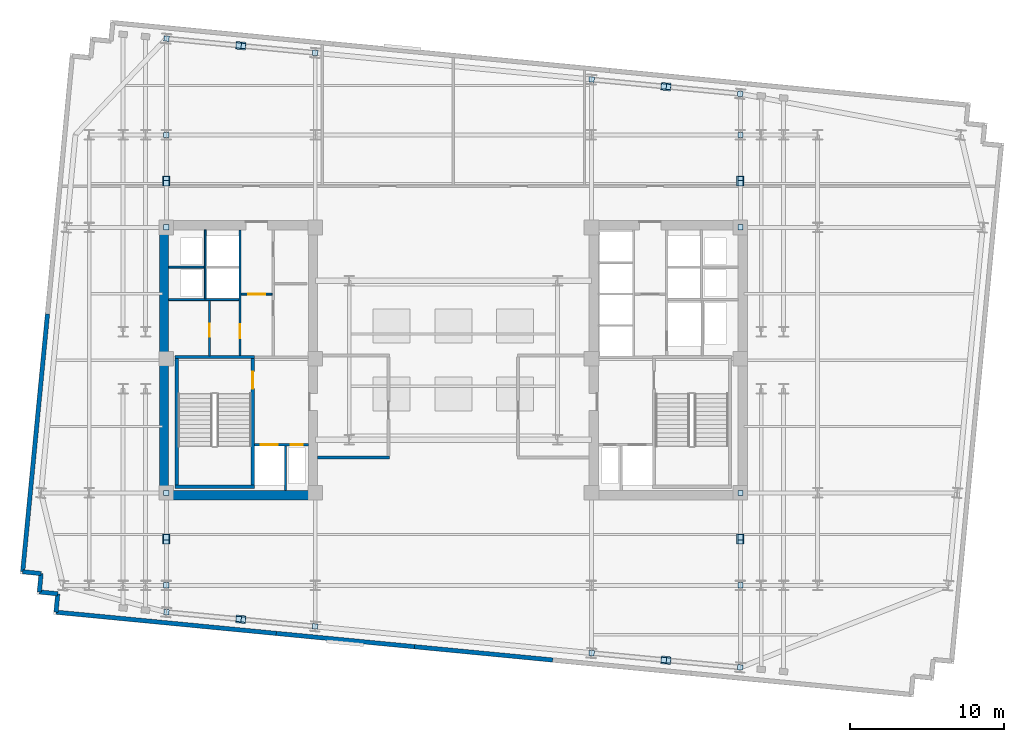
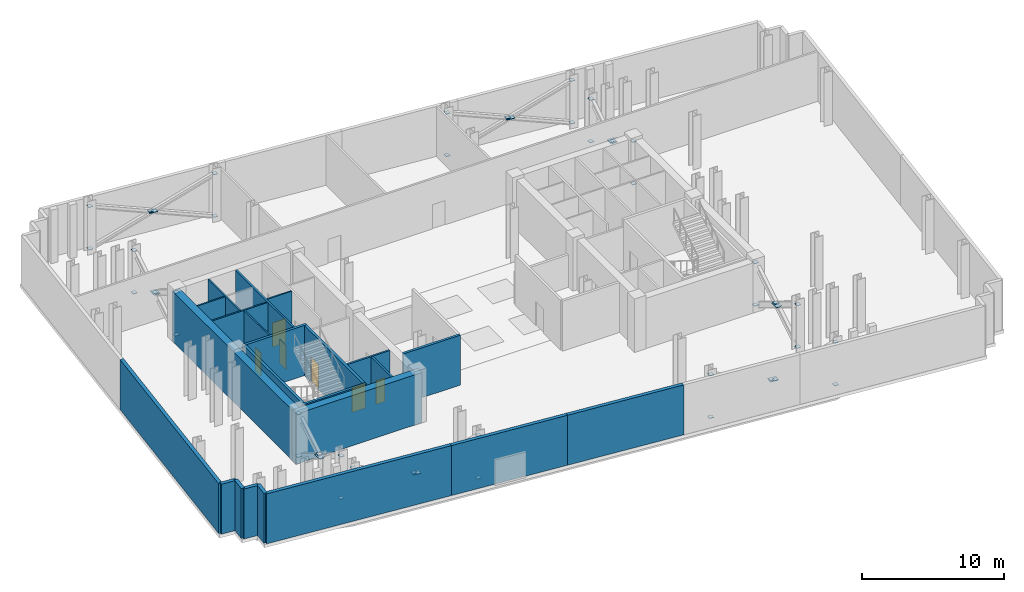
# One storey, part 4 of 8: 55 plates, 23 walls, 6 doors, 6 openings.
"""IFC4 building model written with IfcOpenShell, lengths in metres."""

from ifc_helpers import new_model, si_unit, direction, frame, frame_2d, origin, origin_2d, place, context, subcontext, project, spatial, rectangle, extrude, material, layer, layer_set, type_object, element, fill, save


model = new_model("IFC4")

# Units and contexts
model_context = context("Model", 3, precision=1e-05, world=origin(), true_north=direction((0.0, 1.0)))
body_context = subcontext(model_context, "Body", "Model", "MODEL_VIEW")
ifc_project = project(units=[si_unit("LENGTHUNIT", "METRE"), si_unit("AREAUNIT", "SQUARE_METRE"), si_unit("VOLUMEUNIT", "CUBIC_METRE"), si_unit("PLANEANGLEUNIT", "RADIAN"), si_unit("MASSUNIT", "GRAM", prefix="KILO")], contexts=[model_context])

# Site, building, storey
site_placement = place(None, origin())
site = spatial("IfcSite", under=ifc_project, at=site_placement, CompositionType="ELEMENT")
building_placement = place(site_placement, origin())
building = spatial("IfcBuilding", under=site, at=building_placement, Name="Velakula Bourse", CompositionType="ELEMENT")
storey_placement = place(building_placement, frame((0.0, 0.0, 194.89990234375)))
storey = spatial("IfcBuildingStorey", under=building, at=storey_placement, Name="L53", CompositionType="ELEMENT", Elevation=194.89990234375)

# Plates
ifc_material_1 = material(Name="Steel IS 2062 Grade 350 (E350)", Category="steel")
ifc_layer_1 = layer(ifc_material_1, 0.0400390625, Name="Steel IS 2062 Grade 350 (E350)", Category="steel")
ifc_layer_set_1 = layer_set([ifc_layer_1], Name="Steel IS 2062 Grade 350 (E350)")
plate_type_1 = type_object("IfcPlateType", Name="PLT-ENDCAP-340", PredefinedType="USERDEFINED", material=ifc_layer_set_1)
for number, where, z_axis, x_axis, name in (
    (1, (-18.60009765625, -8.6103515625, 0.286376953125), (0.0, 0.0, 1.0), (0.0, -1.0, 0.0), "L53 Continuous Outrigger and Belt X-Brace OT-NS1 hollow end cap plate 1"),
    (2, (-18.60009765625, -14.58984375, 3.94384765625), (0.0, 0.0, 1.0), (0.0, -1.0, 0.0), "L53 Continuous Outrigger and Belt X-Brace OT-NS1 hollow end cap plate 2"),
    (3, (-18.60009765625, -14.58984375, 0.286376953125), (0.0, 0.0, 1.0), (0.0, 1.0, 0.0), "L53 Split X-Brace Lower Segment OT-NS2A hollow end cap plate 1"),
    (4, (-18.60009765625, -11.729736328125, 2.03564453125), (0.0, 0.0, 1.0), (0.0, 1.0, 0.0), "L53 Split X-Brace Lower Segment OT-NS2A hollow end cap plate 2"),
    (5, (-18.60009765625, -11.47021484375, 2.1943359375), (0.0, 0.0, 1.0), (0.0, 1.0, 0.0), "L53 Split X-Brace Upper Segment OT-NS2B hollow end cap plate 1"),
    (6, (-18.60009765625, -8.6103515625, 3.94384765625), (0.0, 0.0, 1.0), (0.0, 1.0, 0.0), "L53 Split X-Brace Upper Segment OT-NS2B hollow end cap plate 2"),
    (7, (-18.60009765625, 8.6103515625, 0.286376953125), (0.0, 0.0, 1.0), (0.0, 1.0, 0.0), "L53 Continuous Outrigger and Belt X-Brace OT-NS3 hollow end cap plate 1"),
    (8, (-18.60009765625, 14.58984375, 3.94384765625), (0.0, 0.0, 1.0), (0.0, 1.0, 0.0), "L53 Continuous Outrigger and Belt X-Brace OT-NS3 hollow end cap plate 2"),
    (9, (-18.60009765625, 14.58984375, 0.286376953125), (0.0, 0.0, 1.0), (0.0, -1.0, 0.0), "L53 Split X-Brace Lower Segment OT-NS4A hollow end cap plate 1"),
    (10, (-18.60009765625, 11.729736328125, 2.03564453125), (0.0, 0.0, 1.0), (0.0, -1.0, 0.0), "L53 Split X-Brace Lower Segment OT-NS4A hollow end cap plate 2"),
    (11, (-18.60009765625, 11.47021484375, 2.1943359375), (0.0, 0.0, 1.0), (0.0, -1.0, 0.0), "L53 Split X-Brace Upper Segment OT-NS4B hollow end cap plate 1"),
    (12, (-18.60009765625, 8.6103515625, 3.94384765625), (0.0, 0.0, 1.0), (0.0, -1.0, 0.0), "L53 Split X-Brace Upper Segment OT-NS4B hollow end cap plate 2"),
    (13, (18.60009765625, -8.6103515625, 0.286376953125), (0.0, 0.0, 1.0), (0.0, -1.0, 0.0), "L53 Continuous Outrigger and Belt X-Brace OT-NS5 hollow end cap plate 1"),
    (14, (18.60009765625, -14.58984375, 3.94384765625), (0.0, 0.0, 1.0), (0.0, -1.0, 0.0), "L53 Continuous Outrigger and Belt X-Brace OT-NS5 hollow end cap plate 2"),
    (15, (18.60009765625, -14.58984375, 0.286376953125), (0.0, 0.0, 1.0), (0.0, 1.0, 0.0), "L53 Split X-Brace Lower Segment OT-NS6A hollow end cap plate 1"),
    (16, (18.60009765625, -11.729736328125, 2.03564453125), (0.0, 0.0, 1.0), (0.0, 1.0, 0.0), "L53 Split X-Brace Lower Segment OT-NS6A hollow end cap plate 2"),
    (17, (18.60009765625, -11.47021484375, 2.1943359375), (0.0, 0.0, 1.0), (0.0, 1.0, 0.0), "L53 Split X-Brace Upper Segment OT-NS6B hollow end cap plate 1"),
    (18, (18.60009765625, -8.6103515625, 3.94384765625), (0.0, 0.0, 1.0), (0.0, 1.0, 0.0), "L53 Split X-Brace Upper Segment OT-NS6B hollow end cap plate 2"),
    (19, (18.60009765625, 8.6103515625, 0.286376953125), (0.0, 0.0, 1.0), (0.0, 1.0, 0.0), "L53 Continuous Outrigger and Belt X-Brace OT-NS7 hollow end cap plate 1"),
    (20, (18.60009765625, 14.58984375, 3.94384765625), (0.0, 0.0, 1.0), (0.0, 1.0, 0.0), "L53 Continuous Outrigger and Belt X-Brace OT-NS7 hollow end cap plate 2"),
    (21, (18.60009765625, 14.58984375, 0.286376953125), (0.0, 0.0, 1.0), (0.0, -1.0, 0.0), "L53 Split X-Brace Lower Segment OT-NS8A hollow end cap plate 1"),
    (22, (18.60009765625, 11.729736328125, 2.03564453125), (0.0, 0.0, 1.0), (0.0, -1.0, 0.0), "L53 Split X-Brace Lower Segment OT-NS8A hollow end cap plate 2"),
    (23, (18.60009765625, 11.47021484375, 2.1943359375), (0.0, 0.0, 1.0), (0.0, -1.0, 0.0), "L53 Split X-Brace Upper Segment OT-NS8B hollow end cap plate 1"),
    (24, (18.60009765625, 8.6103515625, 3.94384765625), (0.0, 0.0, 1.0), (0.0, -1.0, 0.0), "L53 Split X-Brace Upper Segment OT-NS8B hollow end cap plate 2"),
    (25, (-8.961181640625, -17.2568359375, 3.94580078125), (0.0, 0.0, 1.0), (0.995396198367, -0.09584575252, 0.0), "L53 Continuous Outrigger and Belt X-Brace BT-S1 hollow end cap plate 2"),
    (26, (-8.961181640625, -17.2568359375, 0.284423828125), (0.0, 0.0, 1.0), (-0.995396198367, 0.09584575252, 0.0), "L53 Split X-Brace Lower Segment BT-S2A hollow end cap plate 1"),
    (27, (-13.633544921875, -16.806884765625, 2.061279296875), (0.0, 0.0, 1.0), (-0.995396198367, 0.09584575252, 0.0), "L53 Split X-Brace Lower Segment BT-S2A hollow end cap plate 2"),
    (28, (-13.91650390625, -16.77978515625, 2.1689453125), (0.0, 0.0, 1.0), (-0.995396198367, 0.09584575252, 0.0), "L53 Split X-Brace Upper Segment BT-S2B hollow end cap plate 1"),
    (29, (-18.5888671875, -16.329833984375, 3.94580078125), (0.0, 0.0, 1.0), (-0.995396198367, 0.09584575252, 0.0), "L53 Split X-Brace Upper Segment BT-S2B hollow end cap plate 2"),
    (30, (8.961181640625, -18.982666015625, 0.284423828125), (0.0, 0.0, 1.0), (0.99539787104, -0.095828379565, 0.0), "L53 Continuous Outrigger and Belt X-Brace BT-S3 hollow end cap plate 1"),
    (31, (18.5888671875, -19.909423828125, 3.94580078125), (0.0, 0.0, 1.0), (0.99539787104, -0.095828379565, 0.0), "L53 Continuous Outrigger and Belt X-Brace BT-S3 hollow end cap plate 2"),
    (32, (18.5888671875, -19.909423828125, 0.284423828125), (0.0, 0.0, 1.0), (-0.99539787104, 0.095828379565, 0.0), "L53 Split X-Brace Lower Segment BT-S4A hollow end cap plate 1"),
    (33, (13.91650390625, -19.459716796875, 2.061279296875), (0.0, 0.0, 1.0), (-0.99539787104, 0.095828379565, 0.0), "L53 Split X-Brace Lower Segment BT-S4A hollow end cap plate 2"),
    (34, (13.633544921875, -19.432373046875, 2.1689453125), (0.0, 0.0, 1.0), (-0.99539787104, 0.095828379565, 0.0), "L53 Split X-Brace Upper Segment BT-S4B hollow end cap plate 1"),
    (35, (8.961181640625, -18.982666015625, 3.94580078125), (0.0, 0.0, 1.0), (-0.99539787104, 0.095828379565, 0.0), "L53 Split X-Brace Upper Segment BT-S4B hollow end cap plate 2"),
    (36, (-18.5888671875, 20.84130859375, 0.284423828125), (0.0, 0.0, 1.0), (0.995396198367, -0.09584575252, 0.0), "L53 Continuous Outrigger and Belt X-Brace BT-N1 hollow end cap plate 1"),
    (37, (-8.961181640625, 19.914306640625, 3.94580078125), (0.0, 0.0, 1.0), (0.995396198367, -0.09584575252, 0.0), "L53 Continuous Outrigger and Belt X-Brace BT-N1 hollow end cap plate 2"),
    (38, (-8.961181640625, 19.914306640625, 0.284423828125), (0.0, 0.0, 1.0), (-0.995396198367, 0.09584575252, 0.0), "L53 Split X-Brace Lower Segment BT-N2A hollow end cap plate 1"),
    (39, (-13.633544921875, 20.3642578125, 2.061279296875), (0.0, 0.0, 1.0), (-0.995396198367, 0.09584575252, 0.0), "L53 Split X-Brace Lower Segment BT-N2A hollow end cap plate 2"),
    (40, (-13.91650390625, 20.391357421875, 2.1689453125), (0.0, 0.0, 1.0), (-0.995396198367, 0.09584575252, 0.0), "L53 Split X-Brace Upper Segment BT-N2B hollow end cap plate 1"),
    (41, (-18.5888671875, 20.84130859375, 3.94580078125), (0.0, 0.0, 1.0), (-0.995396198367, 0.09584575252, 0.0), "L53 Split X-Brace Upper Segment BT-N2B hollow end cap plate 2"),
    (42, (8.961181640625, 18.188720703125, 0.284423828125), (0.0, 0.0, 1.0), (0.995396198367, -0.09584575252, 0.0), "L53 Continuous Outrigger and Belt X-Brace BT-N3 hollow end cap plate 1"),
    (43, (18.5888671875, 17.261474609375, 3.94580078125), (0.0, 0.0, 1.0), (0.995396198367, -0.09584575252, 0.0), "L53 Continuous Outrigger and Belt X-Brace BT-N3 hollow end cap plate 2"),
    (44, (18.5888671875, 17.261474609375, 0.284423828125), (0.0, 0.0, 1.0), (-0.995396198367, 0.09584575252, 0.0), "L53 Split X-Brace Lower Segment BT-N4A hollow end cap plate 1"),
    (45, (13.91650390625, 17.71142578125, 2.061279296875), (0.0, 0.0, 1.0), (-0.995396198367, 0.09584575252, 0.0), "L53 Split X-Brace Lower Segment BT-N4A hollow end cap plate 2"),
    (46, (13.633544921875, 17.73876953125, 2.1689453125), (0.0, 0.0, 1.0), (-0.995396198367, 0.09584575252, 0.0), "L53 Split X-Brace Upper Segment BT-N4B hollow end cap plate 1"),
    (47, (8.961181640625, 18.188720703125, 3.94580078125), (0.0, 0.0, 1.0), (-0.995396198367, 0.09584575252, 0.0), "L53 Split X-Brace Upper Segment BT-N4B hollow end cap plate 2"),
):
    element("IfcPlate", number, at=place(storey_placement, frame(where, z_axis=z_axis, x_axis=x_axis)), inside=storey, type_object=plate_type_1, Name=name, ObjectType="GUSSET PLATE", PredefinedType="USERDEFINED", context=body_context, shape_type="SweptSolid", body=[
        extrude(rectangle(XDim=0.340087890625, YDim=0.340087890625, at=origin_2d()), origin(), (0.0, 0.0, 1.0), 0.0400390625),
    ])
ifc_layer_2 = layer(ifc_material_1, 0.0400390625, Name="Steel IS 2062 Grade 350 (E350)", Category="steel")
ifc_layer_set_2 = layer_set([ifc_layer_2], Name="Steel IS 2062 Grade 350 (E350)")
plate_type_2 = type_object("IfcPlateType", Name="PLT-NODE-OTR", PredefinedType="USERDEFINED", material=ifc_layer_set_2)
for number, where, z_axis, x_axis, name in (
    (48, (-18.60009765625, -11.60009765625, 2.114990234375), (0.0, 0.0, 1.0), (0.0, -1.0, 0.0), "L53 X-Brace Central Crossing Gusset Plate 1"),
    (49, (-18.60009765625, 11.60009765625, 2.114990234375), (0.0, 0.0, 1.0), (0.0, 1.0, 0.0), "L53 X-Brace Central Crossing Gusset Plate 2"),
    (50, (18.60009765625, -11.60009765625, 2.114990234375), (0.0, 0.0, 1.0), (0.0, -1.0, 0.0), "L53 X-Brace Central Crossing Gusset Plate 3"),
    (51, (18.60009765625, 11.60009765625, 2.114990234375), (0.0, 0.0, 1.0), (0.0, 1.0, 0.0), "L53 X-Brace Central Crossing Gusset Plate 4"),
    (52, (-13.77490234375, -16.793212890625, 2.114990234375), (0.0, 0.0, 1.0), (0.995396198367, -0.09584575252, 0.0), "L53 X-Brace Central Crossing Gusset Plate 5"),
    (53, (13.77490234375, -19.446044921875, 2.114990234375), (0.0, 0.0, 1.0), (0.99539787104, -0.095828379565, 0.0), "L53 X-Brace Central Crossing Gusset Plate 6"),
    (54, (-13.77490234375, 20.377685546875, 2.114990234375), (0.0, 0.0, 1.0), (0.995396198367, -0.09584575252, 0.0), "L53 X-Brace Central Crossing Gusset Plate 7"),
    (55, (13.77490234375, 17.72509765625, 2.114990234375), (0.0, 0.0, 1.0), (0.995396198367, -0.09584575252, 0.0), "L53 X-Brace Central Crossing Gusset Plate 8"),
):
    element("IfcPlate", number, at=place(storey_placement, frame(where, z_axis=z_axis, x_axis=x_axis)), inside=storey, type_object=plate_type_2, Name=name, ObjectType="GUSSET PLATE", PredefinedType="USERDEFINED", context=body_context, shape_type="SweptSolid", body=[
        extrude(rectangle(XDim=0.639892578125, YDim=0.5, at=origin_2d()), origin(), (0.0, 0.0, 1.0), 0.0400390625),
    ])

# Wall, opening, door
ifc_material_2 = material(Name="Concrete M50 (fck 50 MPa)", Category="concrete")
ifc_layer_3 = layer(ifc_material_2, 0.2099609375, Name="Concrete M50 (fck 50 MPa)", Category="concrete")
ifc_layer_set_3 = layer_set([ifc_layer_3], Name="Concrete M50 (fck 50 MPa)")
wall_type_1 = type_object("IfcWallType", Name="WL-CORE-210", PredefinedType="SHEAR", material=ifc_layer_set_3)
wall_1_placement = place(storey_placement, frame((-12.9951171875, -8.10009765625, 0.0), z_axis=(0.0, 0.0, 1.0), x_axis=(0.0, 1.0, 0.0)))
wall_1 = element("IfcWall", 56, at=wall_1_placement, inside=storey, type_object=wall_type_1, Name="L53 Core W Stairwell Shear Wall IN", PredefinedType="SHEAR", context=body_context, shape_type="SweptSolid", body=[
    extrude(rectangle(XDim=8.2001953125, YDim=0.2099609375, at=frame_2d((4.10009765625, 0.0))), origin(), (0.0, 0.0, 1.0), 4.320068359375),
])
opening_1_placement = place(wall_1_placement, frame((6.25, 0.0, 0.0)))
opening_1 = element("IfcOpeningElement", 57, at=opening_1_placement, cuts=wall_1, Name="Opening D-STW1", PredefinedType="OPENING", context=body_context, shape_type="SweptSolid", body=[
    extrude(rectangle(XDim=1.10009765625, YDim=2.14990234375, at=frame_2d((0.550048828125, 1.074951171875))), frame((0.0, 0.114990234375, 0.0), z_axis=(0.0, -1.0, 0.0), x_axis=(1.0, 0.0, 0.0)), (0.0, 0.0, 1.0), 0.22998046875),
])
ifc_material_3 = material(Name="Galvanised painted hollow steel fire door", Category="steel")
door_type_1 = type_object("IfcDoorType", Name="DR-FD120-1100x2150", OperationType="NOTDEFINED", PredefinedType="DOOR", material=ifc_material_3)
door_1_placement = place(opening_1_placement, origin())
door_1 = element("IfcDoor", 58, at=door_1_placement, inside=storey, type_object=door_type_1, Name="L53 Stair ST-W1 Fire Door", OperationType="SINGLE_SWING_LEFT", OverallHeight=2.14990234375, OverallWidth=1.10009765625, PredefinedType="DOOR", context=body_context, shape_type="SweptSolid", body=[
    extrude(rectangle(XDim=1.10009765625, YDim=2.14990234375, at=frame_2d((0.550048828125, 1.074951171875))), frame((0.0, 0.02490234375, 0.0), z_axis=(0.0, -1.0, 0.0), x_axis=(1.0, 0.0, 0.0)), (0.0, 0.0, 1.0), 0.050048828125),
])
fill(opening_1, door_1)

# Walls
wall_2_placement = place(storey_placement, frame((-17.925048828125, -8.10009765625, 0.0), z_axis=(0.0, 0.0, 1.0), x_axis=(0.0, 1.0, 0.0)))
element("IfcWall", 59, at=wall_2_placement, inside=storey, type_object=wall_type_1, Name="L53 Core W Stairwell Shear Wall OUT", PredefinedType="SHEAR", context=body_context, shape_type="SweptSolid", body=[
    extrude(rectangle(XDim=8.2001953125, YDim=0.2099609375, at=frame_2d((4.10009765625, 0.0))), origin(), (0.0, 0.0, 1.0), 4.320068359375),
])
for number, where, z_axis, x_axis, name in (
    (60, (-18.030029296875, -8.205078125, 0.0), (0.0, 0.0, 1.0), (1.0, 0.0, 0.0), "L53 Core W Stairwell Shear Wall S"),
    (61, (-12.889892578125, 0.205078125, 0.0), (0.0, 0.0, 1.0), (-1.0, 0.0, 0.0), "L53 Core W Stairwell Shear Wall N"),
):
    element("IfcWall", number, at=place(storey_placement, frame(where, z_axis=z_axis, x_axis=x_axis)), inside=storey, type_object=wall_type_1, Name=name, PredefinedType="SHEAR", context=body_context, shape_type="SweptSolid", body=[
        extrude(rectangle(XDim=5.14013671875, YDim=0.2099609375, at=frame_2d((2.570068359375, 0.0))), origin(), (0.0, 0.0, 1.0), 4.320068359375),
    ])
ifc_material_4 = material(Name="Concrete M70 (fck 70 MPa)", Category="concrete")
ifc_layer_4 = layer(ifc_material_4, 0.60009765625, Name="Concrete M70 (fck 70 MPa)", Category="concrete")
ifc_layer_set_4 = layer_set([ifc_layer_4], Name="Concrete M70 (fck 70 MPa)")
wall_type_2 = type_object("IfcWallType", Name="WL-CORE-600", PredefinedType="SHEAR", material=ifc_layer_set_4)
wall_3_placement = place(storey_placement, frame((-19.050048828125, -8.75, 0.0), z_axis=(0.0, 0.0, 1.0), x_axis=(1.0, 0.0, 0.0)))
element("IfcWall", 62, at=wall_3_placement, inside=storey, type_object=wall_type_2, Name="L53 Core W Shear Wall S", PredefinedType="SHEAR", context=body_context, shape_type="SweptSolid", body=[
    extrude(rectangle(XDim=10.25, YDim=0.60009765625, at=frame_2d((5.125, 0.0))), origin(), (0.0, 0.0, 1.0), 4.320068359375),
])
wall_4_placement = place(storey_placement, frame((-18.75, -8.449951171875, 0.0), z_axis=(0.0, 0.0, 1.0), x_axis=(0.0, 1.0, 0.0)))
element("IfcWall", 63, at=wall_4_placement, inside=storey, type_object=wall_type_2, Name="L53 Core W Shear Wall W", PredefinedType="SHEAR", context=body_context, shape_type="SweptSolid", body=[
    extrude(rectangle(XDim=16.89990234375, YDim=0.60009765625, at=frame_2d((8.449951171875, 0.0))), origin(), (0.0, 0.0, 1.0), 4.320068359375),
])
ifc_material_5 = material(Name="Red kilned clay facing brick masonry", Category="masonry")
ifc_layer_5 = layer(ifc_material_5, 0.280029296875, Name="Red kilned clay facing brick masonry", Category="masonry")
ifc_layer_set_5 = layer_set([ifc_layer_5], Name="Red kilned clay facing brick masonry")
wall_type_3 = type_object("IfcWallType", Name="WL-EXT-BRK-280", PredefinedType="STANDARD", material=ifc_layer_set_5)
wall_5_placement = place(storey_placement, frame((-11.47705078125, -17.707763671875, 0.0), z_axis=(0.0, 0.0, 1.0), x_axis=(-0.995395762701, 0.095850276977, 0.0)))
element("IfcWall", 64, at=wall_5_placement, inside=storey, type_object=wall_type_3, Name="L53 S Brick Spandrel Wall B1", PredefinedType="STANDARD", context=body_context, shape_type="SweptSolid", body=[
    extrude(rectangle(XDim=14.340087890625, YDim=0.280029296875, at=frame_2d((7.169921875, 0.0))), origin(), (0.0, 0.0, 1.0), 4.300048828125),
])
for number, where, z_axis, x_axis, name in (
    (65, (-2.5185546875, -18.5703125, 0.0), (0.0, 0.0, 1.0), (-0.995396794462, 0.09583956164, 0.0), "L53 S Brick Spandrel Wall B2"),
    (66, (6.43994140625, -19.432861328125, 0.0), (0.0, 0.0, 1.0), (-0.995396794462, 0.09583956164, 0.0), "L53 S Brick Spandrel Wall B3"),
):
    element("IfcWall", number, at=place(storey_placement, frame(where, z_axis=z_axis, x_axis=x_axis)), inside=storey, type_object=wall_type_3, Name=name, PredefinedType="STANDARD", context=body_context, shape_type="SweptSolid", body=[
        extrude(rectangle(XDim=9.0, YDim=0.280029296875, at=frame_2d((4.5, 0.0))), origin(), (0.0, 0.0, 1.0), 4.300048828125),
    ])
wall_6_placement = place(storey_placement, frame((-27.909912109375, -13.71435546875, 0.0), z_axis=(0.0, 0.0, 1.0), x_axis=(0.095839027265, 0.995396845913, 0.0)))
element("IfcWall", 67, at=wall_6_placement, inside=storey, type_object=wall_type_3, Name="L53 W Brick End Wall W1", PredefinedType="STANDARD", context=body_context, shape_type="SweptSolid", body=[
    extrude(rectangle(XDim=16.7900390625, YDim=0.280029296875, at=frame_2d((8.39501953125, 0.0))), origin(), (0.0, 0.0, 1.0), 4.300048828125),
])
wall_7_placement = place(storey_placement, frame((-27.909912109375, -13.71435546875, 0.0), z_axis=(0.0, 0.0, 1.0), x_axis=(0.995397091755, -0.095836473879, 0.0)))
element("IfcWall", 68, at=wall_7_placement, inside=storey, type_object=wall_type_3, Name="L53 Serrated Corner Brick Wall SW-1", PredefinedType="STANDARD", context=body_context, shape_type="SweptSolid", body=[
    extrude(rectangle(XDim=1.199951171875, YDim=0.280029296875, at=frame_2d((0.60009765625, 0.0))), origin(), (0.0, 0.0, 1.0), 4.300048828125),
])
for number, where, z_axis, x_axis, name in (
    (69, (-26.715576171875, -13.829345703125, 0.0), (0.0, 0.0, 1.0), (-0.095817067274, -0.995398960025, 0.0), "L53 Serrated Corner Brick Wall SW-2"),
    (70, (-26.83056640625, -15.02392578125, 0.0), (0.0, 0.0, 1.0), (0.995398960025, -0.095817067274, 0.0), "L53 Serrated Corner Brick Wall SW-3"),
):
    element("IfcWall", number, at=place(storey_placement, frame(where, z_axis=z_axis, x_axis=x_axis)), inside=storey, type_object=wall_type_3, Name=name, PredefinedType="STANDARD", context=body_context, shape_type="SweptSolid", body=[
        extrude(rectangle(XDim=1.2001953125, YDim=0.280029296875, at=frame_2d((0.60009765625, 0.0))), origin(), (0.0, 0.0, 1.0), 4.300048828125),
    ])
wall_8_placement = place(storey_placement, frame((-25.635986328125, -15.138916015625, 0.0), z_axis=(0.0, 0.0, 1.0), x_axis=(-0.096038073607, -0.995377661201, 0.0)))
element("IfcWall", 71, at=wall_8_placement, inside=storey, type_object=wall_type_3, Name="L53 Serrated Corner Brick Wall SW-4", PredefinedType="STANDARD", context=body_context, shape_type="SweptSolid", body=[
    extrude(rectangle(XDim=1.199951171875, YDim=0.280029296875, at=frame_2d((0.60009765625, 0.0))), origin(), (0.0, 0.0, 1.0), 4.300048828125),
])

# Wall, opening, door
ifc_material_6 = material(Name="Fire-rated double-layer gypsum drywall partition", Category="gypsum")
ifc_layer_6 = layer(ifc_material_6, 0.1201171875, Name="Fire-rated double-layer gypsum drywall partition", Category="gypsum")
ifc_layer_set_6 = layer_set([ifc_layer_6], Name="Fire-rated double-layer gypsum drywall partition")
wall_type_4 = type_object("IfcWallType", Name="WL-PART-120", PredefinedType="STANDARD", material=ifc_layer_set_6)
wall_9_placement = place(storey_placement, frame((-13.75, 4.280029296875, 0.0), z_axis=(0.0, 0.0, 1.0), x_axis=(1.0, 0.0, 0.0)))
wall_9 = element("IfcWall", 72, at=wall_9_placement, inside=storey, type_object=wall_type_4, Name="L53 Interior Partition WL-CRW-L53-LL-K2", PredefinedType="STANDARD", context=body_context, shape_type="SweptSolid", body=[
    extrude(rectangle(XDim=2.0, YDim=0.1201171875, at=frame_2d((1.0, 0.0))), origin(), (0.0, 0.0, 1.0), 4.300048828125),
])
opening_2_placement = place(wall_9_placement, frame((0.449951171875, 0.0, 0.0)))
opening_2 = element("IfcOpeningElement", 73, at=opening_2_placement, cuts=wall_9, Name="Opening D-LK2", PredefinedType="OPENING", context=body_context, shape_type="SweptSolid", body=[
    extrude(rectangle(XDim=1.10009765625, YDim=2.10009765625, at=frame_2d((0.550048828125, 1.050048828125))), frame((0.0, 0.070068359375, 0.0), z_axis=(0.0, -1.0, 0.0), x_axis=(1.0, 0.0, 0.0)), (0.0, 0.0, 1.0), 0.14013671875),
])
ifc_material_7 = material(Name="Fire-rated hardwood flush architectural door", Category="wood")
door_type_2 = type_object("IfcDoorType", Name="DR-FD60-1100x2100", OperationType="NOTDEFINED", PredefinedType="DOOR", material=ifc_material_7)
door_2_placement = place(opening_2_placement, origin())
door_2 = element("IfcDoor", 74, at=door_2_placement, inside=storey, type_object=door_type_2, Name="L53 Core W Lift Lobby Zone Door", OperationType="SINGLE_SWING_LEFT", OverallHeight=2.10009765625, OverallWidth=1.10009765625, PredefinedType="DOOR", context=body_context, shape_type="SweptSolid", body=[
    extrude(rectangle(XDim=1.10009765625, YDim=2.10009765625, at=frame_2d((0.550048828125, 1.050048828125))), frame((0.0, 0.02490234375, 0.0), z_axis=(0.0, -1.0, 0.0), x_axis=(1.0, 0.0, 0.0)), (0.0, 0.0, 1.0), 0.050048828125),
])
fill(opening_2, door_2)

# Walls
wall_10_placement = place(storey_placement, frame((-18.449951171875, 3.919921875, 0.0), z_axis=(0.0, 0.0, 1.0), x_axis=(1.0, 0.0, 0.0)))
element("IfcWall", 75, at=wall_10_placement, inside=storey, type_object=wall_type_4, Name="L53 Interior Partition WL-CRW-L53-HI-S", PredefinedType="STANDARD", context=body_context, shape_type="SweptSolid", body=[
    extrude(rectangle(XDim=4.550048828125, YDim=0.1201171875, at=frame_2d((2.27490234375, 0.0))), origin(), (0.0, 0.0, 1.0), 4.300048828125),
])
wall_11_placement = place(storey_placement, frame((-18.449951171875, 6.030029296875, 0.0), z_axis=(0.0, 0.0, 1.0), x_axis=(1.0, 0.0, 0.0)))
element("IfcWall", 76, at=wall_11_placement, inside=storey, type_object=wall_type_4, Name="L53 Interior Partition WL-CRW-L53-RIS-MID", PredefinedType="STANDARD", context=body_context, shape_type="SweptSolid", body=[
    extrude(rectangle(XDim=2.300048828125, YDim=0.1201171875, at=frame_2d((1.14990234375, 0.0))), origin(), (0.0, 0.0, 1.0), 4.300048828125),
])
wall_12_placement = place(storey_placement, frame((-16.074951171875, 3.97998046875, 0.0), z_axis=(0.0, 0.0, 1.0), x_axis=(0.0, 1.0, 0.0)))
element("IfcWall", 77, at=wall_12_placement, inside=storey, type_object=wall_type_4, Name="L53 Interior Partition WL-CRW-L53-RIS-F", PredefinedType="STANDARD", context=body_context, shape_type="SweptSolid", body=[
    extrude(rectangle(XDim=4.469970703125, YDim=0.1201171875, at=frame_2d((2.23486328125, 0.0))), origin(), (0.0, 0.0, 1.0), 4.300048828125),
])

# Wall, opening, door
wall_13_placement = place(storey_placement, frame((-15.800048828125, 0.27001953125, 0.0), z_axis=(0.0, 0.0, 1.0), x_axis=(0.0, 1.0, 0.0)))
wall_13 = element("IfcWall", 78, at=wall_13_placement, inside=storey, type_object=wall_type_4, Name="L53 Interior Partition WL-CRW-L53-K2", PredefinedType="STANDARD", context=body_context, shape_type="SweptSolid", body=[
    extrude(rectangle(XDim=3.590087890625, YDim=0.1201171875, at=frame_2d((1.794921875, 0.0))), origin(), (0.0, 0.0, 1.0), 4.300048828125),
])
opening_3_placement = place(wall_13_placement, frame((1.25, 0.0, 0.0)))
opening_3 = element("IfcOpeningElement", 79, at=opening_3_placement, cuts=wall_13, Name="Opening D-CE1", PredefinedType="OPENING", context=body_context, shape_type="SweptSolid", body=[
    extrude(rectangle(XDim=0.85009765625, YDim=2.050048828125, at=frame_2d((0.425048828125, 1.02490234375))), frame((0.0, 0.070068359375, 0.0), z_axis=(0.0, -1.0, 0.0), x_axis=(1.0, 0.0, 0.0)), (0.0, 0.0, 1.0), 0.14013671875),
])
door_type_3 = type_object("IfcDoorType", Name="DR-INT-850", OperationType="NOTDEFINED", PredefinedType="DOOR", material=ifc_material_7)
door_3_placement = place(opening_3_placement, origin())
door_3 = element("IfcDoor", 80, at=door_3_placement, inside=storey, type_object=door_type_3, Name="L53 Core Equipment Store Door", OperationType="SINGLE_SWING_RIGHT", OverallHeight=2.050048828125, OverallWidth=0.85009765625, PredefinedType="DOOR", context=body_context, shape_type="SweptSolid", body=[
    extrude(rectangle(XDim=0.85009765625, YDim=2.050048828125, at=frame_2d((0.425048828125, 1.02490234375))), frame((0.0, 0.02490234375, 0.0), z_axis=(0.0, -1.0, 0.0), x_axis=(1.0, 0.0, 0.0)), (0.0, 0.0, 1.0), 0.050048828125),
])
fill(opening_3, door_3)

# Wall, openings, doors
ifc_material_8 = material(Name="Autoclaved aerated concrete blockwork masonry", Category="masonry")
ifc_layer_7 = layer(ifc_material_8, 0.14990234375, Name="Autoclaved aerated concrete blockwork masonry", Category="masonry")
ifc_layer_set_7 = layer_set([ifc_layer_7], Name="Autoclaved aerated concrete blockwork masonry")
wall_type_5 = type_object("IfcWallType", Name="WL-SHAFT-150", PredefinedType="STANDARD", material=ifc_layer_set_7)
wall_14_placement = place(storey_placement, frame((-12.89501953125, -5.47509765625, 0.0), z_axis=(0.0, 0.0, 1.0), x_axis=(1.0, 0.0, 0.0)))
wall_14 = element("IfcWall", 81, at=wall_14_placement, inside=storey, type_object=wall_type_5, Name="L53 Interior Partition WL-CRW-L53-FFL-N", PredefinedType="STANDARD", context=body_context, shape_type="SweptSolid", body=[
    extrude(rectangle(XDim=3.4951171875, YDim=0.14990234375, at=frame_2d((1.74755859375, 0.0))), origin(), (0.0, 0.0, 1.0), 4.300048828125),
])
opening_4_placement = place(wall_14_placement, frame((0.419921875, 0.0, 0.0)))
opening_4 = element("IfcOpeningElement", 82, at=opening_4_placement, cuts=wall_14, Name="Opening LD-FFL-1", PredefinedType="OPENING", context=body_context, shape_type="SweptSolid", body=[
    extrude(rectangle(XDim=1.10009765625, YDim=2.14990234375, at=frame_2d((0.550048828125, 1.074951171875))), frame((0.0, 0.0849609375, 0.0), z_axis=(0.0, -1.0, 0.0), x_axis=(1.0, 0.0, 0.0)), (0.0, 0.0, 1.0), 0.169921875),
])
opening_5_placement = place(wall_14_placement, frame((2.3701171875, 0.0, 0.0)))
opening_5 = element("IfcOpeningElement", 83, at=opening_5_placement, cuts=wall_14, Name="Opening D-RS1", PredefinedType="OPENING", context=body_context, shape_type="SweptSolid", body=[
    extrude(rectangle(XDim=0.75, YDim=2.050048828125, at=frame_2d((0.375, 1.02490234375))), frame((0.0, 0.0849609375, 0.0), z_axis=(0.0, -1.0, 0.0), x_axis=(1.0, 0.0, 0.0)), (0.0, 0.0, 1.0), 0.169921875),
])
door_type_4 = type_object("IfcDoorType", Name="DR-RISER-800", OperationType="NOTDEFINED", PredefinedType="DOOR", material=ifc_material_3)
door_4_placement = place(opening_5_placement, origin())
door_4 = element("IfcDoor", 84, at=door_4_placement, inside=storey, type_object=door_type_4, Name="L53 Fire Riser Access Door", OperationType="SINGLE_SWING_LEFT", OverallHeight=2.050048828125, OverallWidth=0.75, PredefinedType="DOOR", context=body_context, shape_type="SweptSolid", body=[
    extrude(rectangle(XDim=0.75, YDim=2.050048828125, at=frame_2d((0.375, 1.02490234375))), frame((0.0, 0.02490234375, 0.0), z_axis=(0.0, -1.0, 0.0), x_axis=(1.0, 0.0, 0.0)), (0.0, 0.0, 1.0), 0.050048828125),
])
fill(opening_5, door_4)
ifc_material_9 = material(Name="Brushed grade 316 stainless steel", Category="steel")
door_type_5 = type_object("IfcDoorType", Name="DR-SLIDE-FFL-1100", OperationType="DOUBLE_DOOR_SLIDING", PredefinedType="DOOR", material=ifc_material_9)
door_5_placement = place(opening_4_placement, origin())
door_5 = element("IfcDoor", 85, at=door_5_placement, inside=storey, type_object=door_type_5, Name="L53 Firefighting Lift FFL-1 Sliding Landing Door", OperationType="DOUBLE_DOOR_SLIDING", OverallHeight=2.14990234375, OverallWidth=1.10009765625, PredefinedType="DOOR", context=body_context, shape_type="SweptSolid", body=[
    extrude(rectangle(XDim=1.10009765625, YDim=2.14990234375, at=frame_2d((0.550048828125, 1.074951171875))), frame((0.0, 0.02490234375, 0.0), z_axis=(0.0, -1.0, 0.0), x_axis=(1.0, 0.0, 0.0)), (0.0, 0.0, 1.0), 0.050048828125),
])
fill(opening_4, door_5)

# Wall
wall_15_placement = place(storey_placement, frame((-10.875, -8.449951171875, 0.0), z_axis=(0.0, 0.0, 1.0), x_axis=(0.0, 1.0, 0.0)))
element("IfcWall", 86, at=wall_15_placement, inside=storey, type_object=wall_type_5, Name="L53 Interior Partition WL-CRW-L53-FR-DIV", PredefinedType="STANDARD", context=body_context, shape_type="SweptSolid", body=[
    extrude(rectangle(XDim=2.89990234375, YDim=0.14990234375, at=frame_2d((1.449951171875, 0.0))), origin(), (0.0, 0.0, 1.0), 4.300048828125),
])

# Wall, opening, door
wall_16_placement = place(storey_placement, frame((-13.824951171875, 0.27001953125, 0.0), z_axis=(0.0, 0.0, 1.0), x_axis=(0.0, 1.0, 0.0)))
wall_16 = element("IfcWall", 87, at=wall_16_placement, inside=storey, type_object=wall_type_5, Name="L53 Interior Partition WL-CRW-L53-OUT-F", PredefinedType="STANDARD", context=body_context, shape_type="SweptSolid", body=[
    extrude(rectangle(XDim=8.179931640625, YDim=0.14990234375, at=frame_2d((4.08984375, 0.0))), origin(), (0.0, 0.0, 1.0), 4.300048828125),
])
opening_6_placement = place(wall_16_placement, frame((1.14990234375, 0.0, 0.0)))
opening_6 = element("IfcOpeningElement", 88, at=opening_6_placement, cuts=wall_16, Name="Opening D-CP1", PredefinedType="OPENING", context=body_context, shape_type="SweptSolid", body=[
    extrude(rectangle(XDim=0.89990234375, YDim=2.050048828125, at=frame_2d((0.449951171875, 1.02490234375))), frame((0.0, 0.0849609375, 0.0), z_axis=(0.0, -1.0, 0.0), x_axis=(1.0, 0.0, 0.0)), (0.0, 0.0, 1.0), 0.169921875),
])
door_type_6 = type_object("IfcDoorType", Name="DR-INT-900", OperationType="NOTDEFINED", PredefinedType="DOOR", material=ifc_material_7)
door_6_placement = place(opening_6_placement, origin())
door_6 = element("IfcDoor", 89, at=door_6_placement, inside=storey, type_object=door_type_6, Name="L53 Core Tea Pantry Door", OperationType="SINGLE_SWING_LEFT", OverallHeight=2.050048828125, OverallWidth=0.89990234375, PredefinedType="DOOR", context=body_context, shape_type="SweptSolid", body=[
    extrude(rectangle(XDim=0.89990234375, YDim=2.050048828125, at=frame_2d((0.449951171875, 1.02490234375))), frame((0.0, 0.02490234375, 0.0), z_axis=(0.0, -1.0, 0.0), x_axis=(1.0, 0.0, 0.0)), (0.0, 0.0, 1.0), 0.050048828125),
])
fill(opening_6, door_6)

# Wall
ifc_layer_8 = layer(ifc_material_8, 0.199951171875, Name="Autoclaved aerated concrete blockwork masonry", Category="masonry")
ifc_layer_set_8 = layer_set([ifc_layer_8], Name="Autoclaved aerated concrete blockwork masonry")
wall_type_6 = type_object("IfcWallType", Name="WL-SHAFT-200", PredefinedType="STANDARD", material=ifc_layer_set_8)
wall_17_placement = place(storey_placement, frame((-8.800048828125, -6.300048828125, 0.0), z_axis=(0.0, 0.0, 1.0), x_axis=(1.0, 0.0, 0.0)))
element("IfcWall", 90, at=wall_17_placement, inside=storey, type_object=wall_type_6, Name="L53 Interior Partition WL-REF-L53-W-S", PredefinedType="STANDARD", context=body_context, shape_type="SweptSolid", body=[
    extrude(rectangle(XDim=4.650146484375, YDim=0.199951171875, at=frame_2d((2.3251953125, 0.0))), origin(), (0.0, 0.0, 1.0), 4.300048828125),
])

save(model, "model.ifc")
